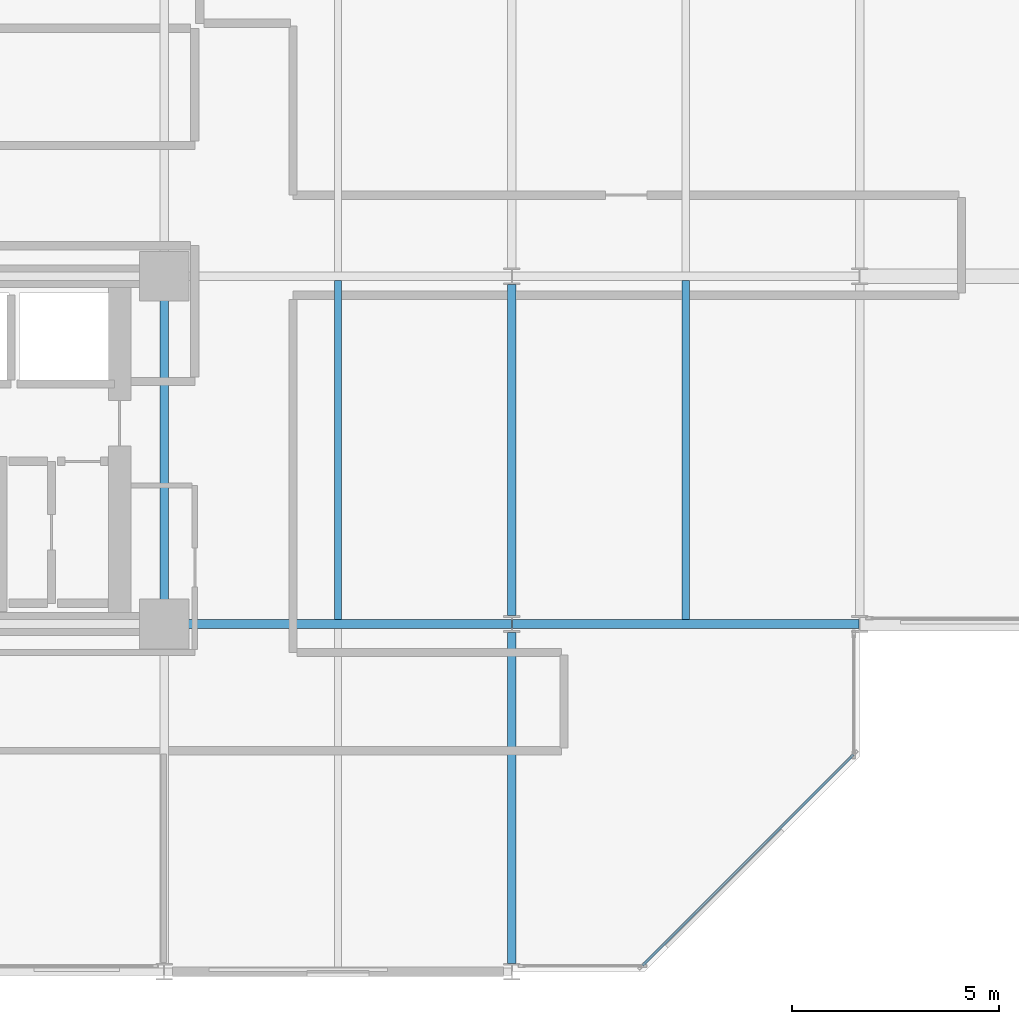
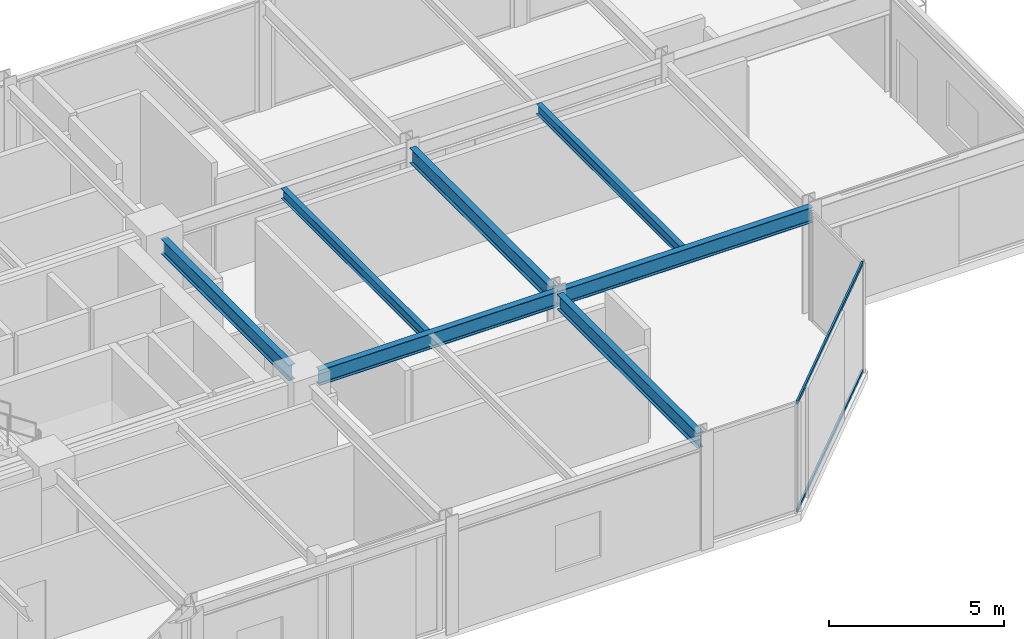
# One storey, part 17 of 38: 7 beams, 2 members, 1 element without a shape of its own.
"""IFC4 building model written with IfcOpenShell, lengths in metres."""

from ifc_helpers import new_model, si_unit, direction, frame, origin, origin_2d, place, context, subcontext, project, spatial, hollow_rectangle, i_section, extrude, material, layer, layer_set, material_profile, profile_set, type_object, element, aggregate, save


model = new_model("IFC4")

# Units and contexts
model_context = context("Model", 3, precision=1e-05, world=origin(), true_north=direction((0.0, 1.0)))
body_context = subcontext(model_context, "Body", "Model", "MODEL_VIEW")
ifc_project = project(units=[si_unit("LENGTHUNIT", "METRE"), si_unit("AREAUNIT", "SQUARE_METRE"), si_unit("VOLUMEUNIT", "CUBIC_METRE"), si_unit("PLANEANGLEUNIT", "RADIAN"), si_unit("MASSUNIT", "GRAM", prefix="KILO")], contexts=[model_context])

# Site, building, storey
site_placement = place(None, origin())
site = spatial("IfcSite", under=ifc_project, at=site_placement, CompositionType="ELEMENT")
building_placement = place(site_placement, origin())
building = spatial("IfcBuilding", under=site, at=building_placement, Name="Nerrivon Quay Data Exchange", CompositionType="ELEMENT")
storey_placement = place(building_placement, frame((0.0, 0.0, 96.699951171875)))
storey = spatial("IfcBuildingStorey", under=building, at=storey_placement, Name="L22", CompositionType="ELEMENT", Elevation=96.699951171875)

# Beams
ifc_material_1 = material(Name="Steel Grade 350", Category="steel")
ifc_material_profile_1 = material_profile(ifc_material_1, i_section(OverallWidth=0.208984375, OverallDepth=0.532958984375, WebThickness=0.01025390625, FlangeThickness=0.015625, FilletRadius=0.013916015625, at=origin_2d()), Name="530UB92.4")
ifc_profile_set_1 = profile_set([ifc_material_profile_1], Name="Steel Grade 350")
beam_type_1 = type_object("IfcBeamType", Name="BM-G3-530UB92", PredefinedType="BEAM", material=ifc_profile_set_1)
beam_1_placement = place(storey_placement, frame((34.139892578125, 8.39990234375, 3.55859375), z_axis=(1.0, 0.0, 0.0), x_axis=(0.0, 1.0, 0.0)))
element("IfcBeam", 1, at=beam_1_placement, inside=storey, type_object=beam_type_1, Name="L22 EW Girder Y=8.4 (33.6..42.0)", PredefinedType="BEAM", context=body_context, shape_type="SweptSolid", body=[
    extrude(i_section(OverallWidth=0.208984375, OverallDepth=0.532958984375, WebThickness=0.01025390625, FlangeThickness=0.015625, FilletRadius=0.013916015625, at=origin_2d()), origin(), (0.0, 0.0, 1.0), 7.84765625),
])
beam_2_placement = place(storey_placement, frame((42.012451171875, 8.39990234375, 3.55859375), z_axis=(1.0, 0.0, 0.0), x_axis=(0.0, 1.0, 0.0)))
element("IfcBeam", 2, at=beam_2_placement, inside=storey, type_object=beam_type_1, Name="L22 EW Girder Y=8.4 (42.0..50.4)", PredefinedType="BEAM", context=body_context, shape_type="SweptSolid", body=[
    extrude(i_section(OverallWidth=0.208984375, OverallDepth=0.532958984375, WebThickness=0.01025390625, FlangeThickness=0.015625, FilletRadius=0.013916015625, at=origin_2d()), origin(), (0.0, 0.0, 1.0), 8.375),
])
ifc_material_profile_2 = material_profile(ifc_material_1, i_section(OverallWidth=0.208984375, OverallDepth=0.528076171875, WebThickness=0.009521484375, FlangeThickness=0.01318359375, FilletRadius=0.013916015625, at=origin_2d()), Name="530UB82.0")
ifc_profile_set_2 = profile_set([ifc_material_profile_2], Name="Steel Grade 350")
beam_type_2 = type_object("IfcBeamType", Name="BM-G4-530UB82", PredefinedType="BEAM", material=ifc_profile_set_2)
beam_3_placement = place(storey_placement, frame((33.60009765625, 8.93994140625, 3.56103515625), z_axis=(0.0, 1.0, 0.0), x_axis=(-1.0, 0.0, 0.0)))
element("IfcBeam", 3, at=beam_3_placement, inside=storey, type_object=beam_type_2, Name="L22 NS Girder X=33.6 (8.4..16.8)", PredefinedType="BEAM", context=body_context, shape_type="SweptSolid", body=[
    extrude(i_section(OverallWidth=0.208984375, OverallDepth=0.528076171875, WebThickness=0.009521484375, FlangeThickness=0.01318359375, FilletRadius=0.013916015625, at=origin_2d()), origin(), (0.0, 0.0, 1.0), 7.320068359375),
])
for number, where, z_axis, x_axis, name in (
    (4, (42.0, 0.199951171875, 3.56103515625), (0.0, 1.0, 0.0), (-1.0, 0.0, 0.0), "L22 NS Girder X=42.0 (0.0..8.4)"),
    (5, (42.0, 8.60009765625, 3.56103515625), (0.0, 1.0, 0.0), (-1.0, 0.0, 0.0), "L22 NS Girder X=42.0 (8.4..16.8)"),
):
    element("IfcBeam", number, at=place(storey_placement, frame(where, z_axis=z_axis, x_axis=x_axis)), inside=storey, type_object=beam_type_2, Name=name, PredefinedType="BEAM", context=body_context, shape_type="SweptSolid", body=[
        extrude(i_section(OverallWidth=0.208984375, OverallDepth=0.528076171875, WebThickness=0.009521484375, FlangeThickness=0.01318359375, FilletRadius=0.013916015625, at=origin_2d()), origin(), (0.0, 0.0, 1.0), 8.0),
    ])
ifc_material_profile_3 = material_profile(ifc_material_1, i_section(OverallWidth=0.1708984375, OverallDepth=0.35595703125, WebThickness=0.00732421875, FlangeThickness=0.011474609375, FilletRadius=0.011474609375, at=origin_2d()), Name="360UB50.7")
ifc_profile_set_3 = profile_set([ifc_material_profile_3], Name="Steel Grade 350")
beam_type_3 = type_object("IfcBeamType", Name="BM-J4-360UB51", PredefinedType="JOIST", material=ifc_profile_set_3)
for number, where, z_axis, x_axis, name in (
    (6, (37.800048828125, 8.50439453125, 3.64697265625), (0.0, 1.0, 0.0), (-1.0, 0.0, 0.0), "L22 Secondary Joist X=37.8 (8.4..16.8)"),
    (7, (46.199951171875, 8.50439453125, 3.64697265625), (0.0, 1.0, 0.0), (-1.0, 0.0, 0.0), "L22 Secondary Joist X=46.2 (8.4..16.8)"),
):
    element("IfcBeam", number, at=place(storey_placement, frame(where, z_axis=z_axis, x_axis=x_axis)), inside=storey, type_object=beam_type_3, Name=name, PredefinedType="JOIST", context=body_context, shape_type="SweptSolid", body=[
        extrude(i_section(OverallWidth=0.1708984375, OverallDepth=0.35595703125, WebThickness=0.00732421875, FlangeThickness=0.011474609375, FilletRadius=0.011474609375, at=origin_2d()), origin(), (0.0, 0.0, 1.0), 8.191162109375),
    ])

# Curtain wall, members
ifc_material_2 = material(Name="Anodised aluminium 6063-T6", Category="aluminium")
ifc_layer = layer(ifc_material_2, 0.2099609375)
ifc_layer_set = layer_set([ifc_layer], Name="Anodised aluminium 6063-T6")
curtain_wall_type = type_object("IfcCurtainWallType", Name="CW-SYS-02", PredefinedType="NOTDEFINED", material=ifc_layer_set)
curtain_wall_placement = place(storey_placement, origin())
curtain_wall = element("IfcCurtainWall", 8, at=curtain_wall_placement, inside=storey, type_object=curtain_wall_type, Name="L22 Unitised Curtain Wall 5", PredefinedType="NOTDEFINED")
ifc_material_profile_4 = material_profile(ifc_material_2, hollow_rectangle(XDim=0.06005859375, YDim=0.1201171875, WallThickness=0.003173828125, at=origin_2d()), Name="ALU-TRAN-120x60")
ifc_profile_set_4 = profile_set([ifc_material_profile_4], Name="Anodised aluminium 6063-T6")
member_type = type_object("IfcMemberType", Name="CWT-120x60", PredefinedType="USERDEFINED", material=ifc_profile_set_4)
member_1_placement = place(storey_placement, frame((50.248046875, 5.245849609375, 0.032470703125), z_axis=(-0.707123726196, -0.707089835771, 0.0), x_axis=(0.707089835771, -0.707123726196, 0.0)))
member_1 = element("IfcMember", 9, at=member_1_placement, type_object=member_type, Name="CW02 transom 1.1", ObjectType="TRANSOM", PredefinedType="USERDEFINED", context=body_context, shape_type="SweptSolid", body=[
    extrude(hollow_rectangle(XDim=0.06005859375, YDim=0.1201171875, WallThickness=0.003173828125, at=origin_2d()), origin(), (0.0, 0.0, 1.0), 7.203857421875),
])
member_2_placement = place(storey_placement, frame((50.248046875, 5.245849609375, 3.79248046875), z_axis=(-0.707123726196, -0.707089835771, 0.0), x_axis=(0.707089835771, -0.707123726196, 0.0)))
member_2 = element("IfcMember", 10, at=member_2_placement, type_object=member_type, Name="CW02 transom 1.2", ObjectType="TRANSOM", PredefinedType="USERDEFINED", context=body_context, shape_type="SweptSolid", body=[
    extrude(hollow_rectangle(XDim=0.06005859375, YDim=0.1201171875, WallThickness=0.003173828125, at=origin_2d()), origin(), (0.0, 0.0, 1.0), 7.203857421875),
])
aggregate(curtain_wall, [member_1, member_2])

save(model, "model.ifc")
